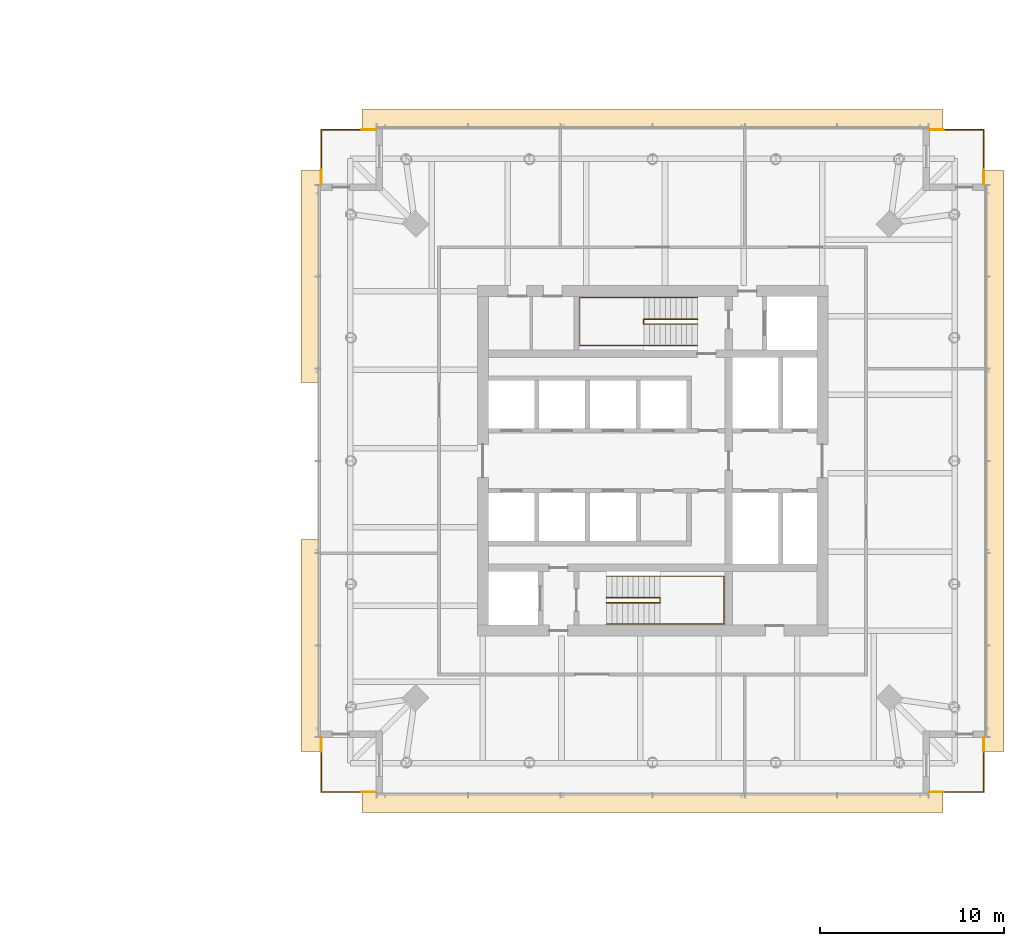
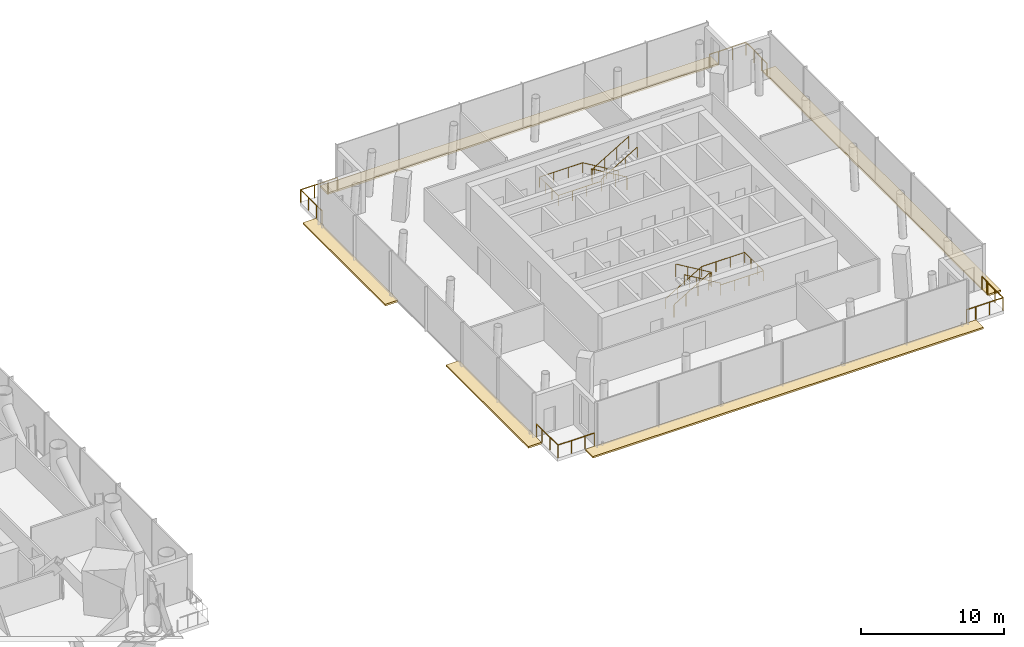
# One storey, part 28 of 28: 16 railings, 5 coverings.
"""IFC4 building model written with IfcOpenShell, lengths in metres."""

from ifc_helpers import new_model, si_unit, direction, frame, origin, origin_2d, place, context, subcontext, project, spatial, polyline, circle, outline, extrude, material, layer, layer_set, type_object, element, save


model = new_model("IFC4")

# Units and contexts
model_context = context("Model", 3, precision=1e-05, world=origin(), true_north=direction((0.0, 1.0)))
body_context = subcontext(model_context, "Body", "Model", "MODEL_VIEW")
ifc_project = project(units=[si_unit("LENGTHUNIT", "METRE"), si_unit("AREAUNIT", "SQUARE_METRE"), si_unit("VOLUMEUNIT", "CUBIC_METRE"), si_unit("PLANEANGLEUNIT", "RADIAN"), si_unit("MASSUNIT", "GRAM", prefix="KILO")], contexts=[model_context])

# Site, building, storey
site_placement = place(None, origin())
site = spatial("IfcSite", under=ifc_project, at=site_placement, CompositionType="ELEMENT")
building_placement = place(site_placement, origin())
building = spatial("IfcBuilding", under=site, at=building_placement, Name="Ostroluk Exchange", CompositionType="ELEMENT")
storey_placement = place(building_placement, frame((0.0, 0.0, 81.800048828125)))
storey = spatial("IfcBuildingStorey", under=building, at=storey_placement, Name="L20", CompositionType="ELEMENT", Elevation=81.800048828125)

# Railings
ifc_material_1 = material(Name="Stainless steel", Category="steel")
railing_type_1 = type_object("IfcRailingType", Name="Guard 1100 stainless steel", PredefinedType="GUARDRAIL", material=ifc_material_1)
railing_1_placement = place(storey_placement, frame((132.75, 28.050048828125, 0.0)))
element("IfcRailing", 1, at=railing_1_placement, inside=storey, type_object=railing_type_1, Name="Hotel tower SE balcony guard L20", PredefinedType="GUARDRAIL", context=body_context, shape_type="SweptSolid", body=[
    extrude(circle(Radius=0.02392578125, at=origin_2d()), frame((0.0, 0.0, 1.076171875), z_axis=(1.0, 0.0, 0.0), x_axis=(0.0, 1.0, 0.0)), (0.0, 0.0, 1.0), 2.199951171875),
    extrude(circle(Radius=0.02392578125, at=origin_2d()), frame((2.199951171875, 0.0, 1.076171875), z_axis=(0.0, 1.0, 0.0), x_axis=(-1.0, 0.0, 0.0)), (0.0, 0.0, 1.0), 2.199951171875),
    extrude(circle(Radius=0.02099609375, at=origin_2d()), origin(), (0.0, 0.0, 1.0), 1.052001953125),
    extrude(circle(Radius=0.02099609375, at=origin_2d()), frame((1.10009765625, 0.0, 0.0)), (0.0, 0.0, 1.0), 1.052001953125),
    extrude(circle(Radius=0.02099609375, at=origin_2d()), frame((2.199951171875, 0.0, 0.0)), (0.0, 0.0, 1.0), 1.052001953125),
    extrude(circle(Radius=0.02099609375, at=origin_2d()), frame((2.199951171875, 1.10009765625, 0.0)), (0.0, 0.0, 1.0), 1.052001953125),
    extrude(circle(Radius=0.02099609375, at=origin_2d()), frame((2.199951171875, 2.199951171875, 0.0)), (0.0, 0.0, 1.0), 1.052001953125),
])
railing_2_placement = place(storey_placement, frame((132.75, 63.949951171875, 0.0)))
element("IfcRailing", 2, at=railing_2_placement, inside=storey, type_object=railing_type_1, Name="Hotel tower NE balcony guard L20", PredefinedType="GUARDRAIL", context=body_context, shape_type="SweptSolid", body=[
    extrude(circle(Radius=0.02392578125, at=origin_2d()), frame((0.0, 0.0, 1.076171875), z_axis=(1.0, 0.0, 0.0), x_axis=(0.0, 1.0, 0.0)), (0.0, 0.0, 1.0), 2.199951171875),
    extrude(circle(Radius=0.02392578125, at=origin_2d()), frame((2.199951171875, 0.0, 1.076171875), z_axis=(0.0, -1.0, 0.0), x_axis=(1.0, 0.0, 0.0)), (0.0, 0.0, 1.0), 2.199951171875),
    extrude(circle(Radius=0.02099609375, at=origin_2d()), origin(), (0.0, 0.0, 1.0), 1.052001953125),
    extrude(circle(Radius=0.02099609375, at=origin_2d()), frame((1.10009765625, 0.0, 0.0)), (0.0, 0.0, 1.0), 1.052001953125),
    extrude(circle(Radius=0.02099609375, at=origin_2d()), frame((2.199951171875, 0.0, 0.0)), (0.0, 0.0, 1.0), 1.052001953125),
    extrude(circle(Radius=0.02099609375, at=origin_2d()), frame((2.199951171875, -1.10009765625, 0.0)), (0.0, 0.0, 1.0), 1.052001953125),
    extrude(circle(Radius=0.02099609375, at=origin_2d()), frame((2.199951171875, -2.199951171875, 0.0)), (0.0, 0.0, 1.0), 1.052001953125),
])
railing_3_placement = place(storey_placement, frame((101.25, 63.949951171875, 0.0)))
element("IfcRailing", 3, at=railing_3_placement, inside=storey, type_object=railing_type_1, Name="Hotel tower NW balcony guard L20", PredefinedType="GUARDRAIL", context=body_context, shape_type="SweptSolid", body=[
    extrude(circle(Radius=0.02392578125, at=origin_2d()), frame((0.0, 0.0, 1.076171875), z_axis=(-1.0, 0.0, 0.0), x_axis=(0.0, -1.0, 0.0)), (0.0, 0.0, 1.0), 2.199951171875),
    extrude(circle(Radius=0.02392578125, at=origin_2d()), frame((-2.199951171875, 0.0, 1.076171875), z_axis=(0.0, -1.0, 0.0), x_axis=(1.0, 0.0, 0.0)), (0.0, 0.0, 1.0), 2.199951171875),
    extrude(circle(Radius=0.02099609375, at=origin_2d()), origin(), (0.0, 0.0, 1.0), 1.052001953125),
    extrude(circle(Radius=0.02099609375, at=origin_2d()), frame((-1.10009765625, 0.0, 0.0)), (0.0, 0.0, 1.0), 1.052001953125),
    extrude(circle(Radius=0.02099609375, at=origin_2d()), frame((-2.199951171875, 0.0, 0.0)), (0.0, 0.0, 1.0), 1.052001953125),
    extrude(circle(Radius=0.02099609375, at=origin_2d()), frame((-2.199951171875, -1.10009765625, 0.0)), (0.0, 0.0, 1.0), 1.052001953125),
    extrude(circle(Radius=0.02099609375, at=origin_2d()), frame((-2.199951171875, -2.199951171875, 0.0)), (0.0, 0.0, 1.0), 1.052001953125),
])
railing_4_placement = place(storey_placement, frame((101.25, 28.050048828125, 0.0)))
element("IfcRailing", 4, at=railing_4_placement, inside=storey, type_object=railing_type_1, Name="Hotel tower SW balcony guard L20", PredefinedType="GUARDRAIL", context=body_context, shape_type="SweptSolid", body=[
    extrude(circle(Radius=0.02392578125, at=origin_2d()), frame((0.0, 0.0, 1.076171875), z_axis=(-1.0, 0.0, 0.0), x_axis=(0.0, -1.0, 0.0)), (0.0, 0.0, 1.0), 2.199951171875),
    extrude(circle(Radius=0.02392578125, at=origin_2d()), frame((-2.199951171875, 0.0, 1.076171875), z_axis=(0.0, 1.0, 0.0), x_axis=(-1.0, 0.0, 0.0)), (0.0, 0.0, 1.0), 2.199951171875),
    extrude(circle(Radius=0.02099609375, at=origin_2d()), origin(), (0.0, 0.0, 1.0), 1.052001953125),
    extrude(circle(Radius=0.02099609375, at=origin_2d()), frame((-1.10009765625, 0.0, 0.0)), (0.0, 0.0, 1.0), 1.052001953125),
    extrude(circle(Radius=0.02099609375, at=origin_2d()), frame((-2.199951171875, 0.0, 0.0)), (0.0, 0.0, 1.0), 1.052001953125),
    extrude(circle(Radius=0.02099609375, at=origin_2d()), frame((-2.199951171875, 1.10009765625, 0.0)), (0.0, 0.0, 1.0), 1.052001953125),
    extrude(circle(Radius=0.02099609375, at=origin_2d()), frame((-2.199951171875, 2.199951171875, 0.0)), (0.0, 0.0, 1.0), 1.052001953125),
])
ifc_material_2 = material(Name="Stainless steel", Category="steel")
railing_type_2 = type_object("IfcRailingType", Name="Lockable maintenance gate 1100", PredefinedType="GUARDRAIL", material=ifc_material_2)
railing_5_placement = place(storey_placement, frame((132.0, 28.050048828125, 0.0)))
element("IfcRailing", 5, at=railing_5_placement, inside=storey, type_object=railing_type_2, Name="Lockable maintenance gate T2 L20 SE", PredefinedType="GUARDRAIL", context=body_context, shape_type="SweptSolid", body=[
    extrude(circle(Radius=0.02392578125, at=origin_2d()), frame((0.0, 0.0, 1.076171875), z_axis=(1.0, 0.0, 0.0), x_axis=(0.0, 1.0, 0.0)), (0.0, 0.0, 1.0), 0.75),
    extrude(circle(Radius=0.02099609375, at=origin_2d()), origin(), (0.0, 0.0, 1.0), 1.052001953125),
    extrude(circle(Radius=0.02099609375, at=origin_2d()), frame((0.75, 0.0, 0.0)), (0.0, 0.0, 1.0), 1.052001953125),
])
railing_6_placement = place(storey_placement, frame((134.949951171875, 30.25, 0.0)))
element("IfcRailing", 6, at=railing_6_placement, inside=storey, type_object=railing_type_2, Name="Lockable maintenance gate T2 L20 SE", PredefinedType="GUARDRAIL", context=body_context, shape_type="SweptSolid", body=[
    extrude(circle(Radius=0.02392578125, at=origin_2d()), frame((0.0, 0.0, 1.076171875), z_axis=(0.0, 1.0, 0.0), x_axis=(-1.0, 0.0, 0.0)), (0.0, 0.0, 1.0), 0.75),
    extrude(circle(Radius=0.02099609375, at=origin_2d()), origin(), (0.0, 0.0, 1.0), 1.052001953125),
    extrude(circle(Radius=0.02099609375, at=origin_2d()), frame((0.0, 0.75, 0.0)), (0.0, 0.0, 1.0), 1.052001953125),
])
railing_7_placement = place(storey_placement, frame((132.0, 63.949951171875, 0.0)))
element("IfcRailing", 7, at=railing_7_placement, inside=storey, type_object=railing_type_2, Name="Lockable maintenance gate T2 L20 NE", PredefinedType="GUARDRAIL", context=body_context, shape_type="SweptSolid", body=[
    extrude(circle(Radius=0.02392578125, at=origin_2d()), frame((0.0, 0.0, 1.076171875), z_axis=(1.0, 0.0, 0.0), x_axis=(0.0, 1.0, 0.0)), (0.0, 0.0, 1.0), 0.75),
    extrude(circle(Radius=0.02099609375, at=origin_2d()), origin(), (0.0, 0.0, 1.0), 1.052001953125),
    extrude(circle(Radius=0.02099609375, at=origin_2d()), frame((0.75, 0.0, 0.0)), (0.0, 0.0, 1.0), 1.052001953125),
])
railing_8_placement = place(storey_placement, frame((134.949951171875, 61.75, 0.0)))
element("IfcRailing", 8, at=railing_8_placement, inside=storey, type_object=railing_type_2, Name="Lockable maintenance gate T2 L20 NE", PredefinedType="GUARDRAIL", context=body_context, shape_type="SweptSolid", body=[
    extrude(circle(Radius=0.02392578125, at=origin_2d()), frame((0.0, 0.0, 1.076171875), z_axis=(0.0, -1.0, 0.0), x_axis=(1.0, 0.0, 0.0)), (0.0, 0.0, 1.0), 0.75),
    extrude(circle(Radius=0.02099609375, at=origin_2d()), origin(), (0.0, 0.0, 1.0), 1.052001953125),
    extrude(circle(Radius=0.02099609375, at=origin_2d()), frame((0.0, -0.75, 0.0)), (0.0, 0.0, 1.0), 1.052001953125),
])
railing_9_placement = place(storey_placement, frame((102.0, 63.949951171875, 0.0)))
element("IfcRailing", 9, at=railing_9_placement, inside=storey, type_object=railing_type_2, Name="Lockable maintenance gate T2 L20 NW", PredefinedType="GUARDRAIL", context=body_context, shape_type="SweptSolid", body=[
    extrude(circle(Radius=0.02392578125, at=origin_2d()), frame((0.0, 0.0, 1.076171875), z_axis=(-1.0, 0.0, 0.0), x_axis=(0.0, -1.0, 0.0)), (0.0, 0.0, 1.0), 0.75),
    extrude(circle(Radius=0.02099609375, at=origin_2d()), origin(), (0.0, 0.0, 1.0), 1.052001953125),
    extrude(circle(Radius=0.02099609375, at=origin_2d()), frame((-0.75, 0.0, 0.0)), (0.0, 0.0, 1.0), 1.052001953125),
])
railing_10_placement = place(storey_placement, frame((99.050048828125, 61.75, 0.0)))
element("IfcRailing", 10, at=railing_10_placement, inside=storey, type_object=railing_type_2, Name="Lockable maintenance gate T2 L20 NW", PredefinedType="GUARDRAIL", context=body_context, shape_type="SweptSolid", body=[
    extrude(circle(Radius=0.02392578125, at=origin_2d()), frame((0.0, 0.0, 1.076171875), z_axis=(0.0, -1.0, 0.0), x_axis=(1.0, 0.0, 0.0)), (0.0, 0.0, 1.0), 0.75),
    extrude(circle(Radius=0.02099609375, at=origin_2d()), origin(), (0.0, 0.0, 1.0), 1.052001953125),
    extrude(circle(Radius=0.02099609375, at=origin_2d()), frame((0.0, -0.75, 0.0)), (0.0, 0.0, 1.0), 1.052001953125),
])
railing_11_placement = place(storey_placement, frame((102.0, 28.050048828125, 0.0)))
element("IfcRailing", 11, at=railing_11_placement, inside=storey, type_object=railing_type_2, Name="Lockable maintenance gate T2 L20 SW", PredefinedType="GUARDRAIL", context=body_context, shape_type="SweptSolid", body=[
    extrude(circle(Radius=0.02392578125, at=origin_2d()), frame((0.0, 0.0, 1.076171875), z_axis=(-1.0, 0.0, 0.0), x_axis=(0.0, -1.0, 0.0)), (0.0, 0.0, 1.0), 0.75),
    extrude(circle(Radius=0.02099609375, at=origin_2d()), origin(), (0.0, 0.0, 1.0), 1.052001953125),
    extrude(circle(Radius=0.02099609375, at=origin_2d()), frame((-0.75, 0.0, 0.0)), (0.0, 0.0, 1.0), 1.052001953125),
])
railing_12_placement = place(storey_placement, frame((99.050048828125, 30.25, 0.0)))
element("IfcRailing", 12, at=railing_12_placement, inside=storey, type_object=railing_type_2, Name="Lockable maintenance gate T2 L20 SW", PredefinedType="GUARDRAIL", context=body_context, shape_type="SweptSolid", body=[
    extrude(circle(Radius=0.02392578125, at=origin_2d()), frame((0.0, 0.0, 1.076171875), z_axis=(0.0, 1.0, 0.0), x_axis=(-1.0, 0.0, 0.0)), (0.0, 0.0, 1.0), 0.75),
    extrude(circle(Radius=0.02099609375, at=origin_2d()), origin(), (0.0, 0.0, 1.0), 1.052001953125),
    extrude(circle(Radius=0.02099609375, at=origin_2d()), frame((0.0, 0.75, 0.0)), (0.0, 0.0, 1.0), 1.052001953125),
])

# Coverings
ifc_material_3 = material(Name="Insulated steel roof deck with membrane, laid to falls, aluminium coping", Category="steel")
ifc_layer = layer(ifc_material_3, 0.14990234375)
ifc_layer_set = layer_set([ifc_layer], Name="Setback maintenance roof")
covering_type = type_object("IfcCoveringType", Name="Setback maintenance roof", PredefinedType="ROOFING", material=ifc_layer_set)
covering_1_placement = place(storey_placement, frame((0.0, 0.0, -0.150146484375)))
element("IfcCovering", 13, at=covering_1_placement, inside=storey, type_object=covering_type, Name="Maintenance roof, setback L20 south", PredefinedType="ROOFING", context=body_context, shape_type="SweptSolid", body=[
    extrude(outline(polyline([(101.25, 28.0), (132.75, 28.0), (132.75, 26.949951171875), (101.25, 26.949951171875), (101.25, 28.0)])), origin(), (0.0, 0.0, 1.0), 0.150146484375),
])
covering_2_placement = place(storey_placement, frame((0.0, 0.0, -0.150146484375)))
element("IfcCovering", 14, at=covering_2_placement, inside=storey, type_object=covering_type, Name="Maintenance roof, setback L20 east", PredefinedType="ROOFING", context=body_context, shape_type="SweptSolid", body=[
    extrude(outline(polyline([(135.0, 61.75), (136.050048828125, 61.75), (136.050048828125, 30.25), (135.0, 30.25), (135.0, 61.75)])), origin(), (0.0, 0.0, 1.0), 0.150146484375),
])
covering_3_placement = place(storey_placement, frame((0.0, 0.0, -0.150146484375)))
element("IfcCovering", 15, at=covering_3_placement, inside=storey, type_object=covering_type, Name="Maintenance roof, setback L20 north", PredefinedType="ROOFING", context=body_context, shape_type="SweptSolid", body=[
    extrude(outline(polyline([(101.25, 65.050048828125), (132.75, 65.050048828125), (132.75, 64.0), (101.25, 64.0), (101.25, 65.050048828125)])), origin(), (0.0, 0.0, 1.0), 0.150146484375),
])
covering_4_placement = place(storey_placement, frame((0.0, 0.0, -0.150146484375)))
element("IfcCovering", 16, at=covering_4_placement, inside=storey, type_object=covering_type, Name="Maintenance roof, setback L20 west", PredefinedType="ROOFING", context=body_context, shape_type="SweptSolid", body=[
    extrude(outline(polyline([(97.949951171875, 41.75), (99.0, 41.75), (99.0, 30.25), (97.949951171875, 30.25), (97.949951171875, 41.75)])), origin(), (0.0, 0.0, 1.0), 0.150146484375),
])
covering_5_placement = place(storey_placement, frame((0.0, 0.0, -0.150146484375)))
element("IfcCovering", 17, at=covering_5_placement, inside=storey, type_object=covering_type, Name="Maintenance roof, setback L20 west", PredefinedType="ROOFING", context=body_context, shape_type="SweptSolid", body=[
    extrude(outline(polyline([(97.949951171875, 61.75), (99.0, 61.75), (99.0, 50.25), (97.949951171875, 50.25), (97.949951171875, 61.75)])), origin(), (0.0, 0.0, 1.0), 0.150146484375),
])

# Railings
ifc_material_4 = material(Name="Steel S355", Category="steel")
railing_type_3 = type_object("IfcRailingType", Name="Stair guard 1100", PredefinedType="GUARDRAIL", material=ifc_material_4)
railing_13_placement = place(storey_placement, frame((114.5, 38.580078125, 0.172607421875)))
element("IfcRailing", 18, at=railing_13_placement, inside=storey, type_object=railing_type_3, Name="Stair T2-S1 guard L20", PredefinedType="GUARDRAIL", context=body_context, shape_type="SweptSolid", body=[
    extrude(circle(Radius=0.02392578125, at=origin_2d()), frame((0.0, 0.0, 1.076171875), z_axis=(0.859141464434, 0.0, 0.511738159696), x_axis=(0.0, 1.0, 0.0)), (0.0, 0.0, 1.0), 3.375244140625),
    extrude(circle(Radius=0.02392578125, at=origin_2d()), frame((2.89990234375, 0.0, 2.80322265625), z_axis=(0.0, -1.0, 0.0), x_axis=(1.0, 0.0, 0.0)), (0.0, 0.0, 1.0), 0.260009765625),
    extrude(circle(Radius=0.02392578125, at=origin_2d()), frame((2.89990234375, -0.260009765625, 2.80322265625), z_axis=(0.0, 0.0, 1.0), x_axis=(1.0, 0.0, 0.0)), (0.0, 0.0, 1.0), 0.1728515625),
    extrude(circle(Radius=0.02392578125, at=origin_2d()), frame((2.89990234375, -0.260009765625, 2.97607421875), z_axis=(-0.859141464434, 0.0, 0.511738159696), x_axis=(0.0, -1.0, 0.0)), (0.0, 0.0, 1.0), 3.375244140625),
    extrude(circle(Radius=0.02099609375, at=origin_2d()), origin(), (0.0, 0.0, 1.0), 1.052001953125),
    extrude(circle(Radius=0.02099609375, at=origin_2d()), frame((0.966552734375, 0.0, 0.57568359375)), (0.0, 0.0, 1.0), 1.052001953125),
    extrude(circle(Radius=0.02099609375, at=origin_2d()), frame((1.933349609375, 0.0, 1.151611328125)), (0.0, 0.0, 1.0), 1.052001953125),
    extrude(circle(Radius=0.02099609375, at=origin_2d()), frame((2.89990234375, 0.0, 1.727294921875)), (0.0, 0.0, 1.0), 1.052001953125),
    extrude(circle(Radius=0.02099609375, at=origin_2d()), frame((2.89990234375, -0.260009765625, 1.727294921875)), (0.0, 0.0, 1.0), 1.052001953125),
    extrude(circle(Radius=0.02099609375, at=origin_2d()), frame((2.89990234375, -0.260009765625, 1.900146484375)), (0.0, 0.0, 1.0), 1.052001953125),
    extrude(circle(Radius=0.02099609375, at=origin_2d()), frame((1.933349609375, -0.260009765625, 2.475830078125)), (0.0, 0.0, 1.0), 1.052001953125),
    extrude(circle(Radius=0.02099609375, at=origin_2d()), frame((0.966552734375, -0.260009765625, 3.0517578125)), (0.0, 0.0, 1.0), 1.052001953125),
    extrude(circle(Radius=0.02099609375, at=origin_2d()), frame((0.0, -0.260009765625, 3.62744140625)), (0.0, 0.0, 1.0), 1.052001953125),
])
railing_14_placement = place(storey_placement, frame((119.429931640625, 53.679931640625, 0.172607421875)))
element("IfcRailing", 19, at=railing_14_placement, inside=storey, type_object=railing_type_3, Name="Stair T2-S2 guard L20", PredefinedType="GUARDRAIL", context=body_context, shape_type="SweptSolid", body=[
    extrude(circle(Radius=0.02392578125, at=origin_2d()), frame((0.0, 0.0, 1.076171875), z_axis=(-0.859141464434, 0.0, 0.511738159696), x_axis=(0.0, -1.0, 0.0)), (0.0, 0.0, 1.0), 3.375244140625),
    extrude(circle(Radius=0.02392578125, at=origin_2d()), frame((-2.89990234375, 0.0, 2.80322265625), z_axis=(0.0, -1.0, 0.0), x_axis=(1.0, 0.0, 0.0)), (0.0, 0.0, 1.0), 0.260009765625),
    extrude(circle(Radius=0.02392578125, at=origin_2d()), frame((-2.89990234375, -0.260009765625, 2.80322265625), z_axis=(0.0, 0.0, 1.0), x_axis=(1.0, 0.0, 0.0)), (0.0, 0.0, 1.0), 0.1728515625),
    extrude(circle(Radius=0.02392578125, at=origin_2d()), frame((-2.89990234375, -0.260009765625, 2.97607421875), z_axis=(0.859141464434, 0.0, 0.511738159696), x_axis=(0.0, 1.0, 0.0)), (0.0, 0.0, 1.0), 3.375244140625),
    extrude(circle(Radius=0.02099609375, at=origin_2d()), origin(), (0.0, 0.0, 1.0), 1.052001953125),
    extrude(circle(Radius=0.02099609375, at=origin_2d()), frame((-0.966552734375, 0.0, 0.57568359375)), (0.0, 0.0, 1.0), 1.052001953125),
    extrude(circle(Radius=0.02099609375, at=origin_2d()), frame((-1.933349609375, 0.0, 1.151611328125)), (0.0, 0.0, 1.0), 1.052001953125),
    extrude(circle(Radius=0.02099609375, at=origin_2d()), frame((-2.89990234375, 0.0, 1.727294921875)), (0.0, 0.0, 1.0), 1.052001953125),
    extrude(circle(Radius=0.02099609375, at=origin_2d()), frame((-2.89990234375, -0.260009765625, 1.727294921875)), (0.0, 0.0, 1.0), 1.052001953125),
    extrude(circle(Radius=0.02099609375, at=origin_2d()), frame((-2.89990234375, -0.260009765625, 1.900146484375)), (0.0, 0.0, 1.0), 1.052001953125),
    extrude(circle(Radius=0.02099609375, at=origin_2d()), frame((-1.933349609375, -0.260009765625, 2.475830078125)), (0.0, 0.0, 1.0), 1.052001953125),
    extrude(circle(Radius=0.02099609375, at=origin_2d()), frame((-0.966552734375, -0.260009765625, 3.0517578125)), (0.0, 0.0, 1.0), 1.052001953125),
    extrude(circle(Radius=0.02099609375, at=origin_2d()), frame((0.0, -0.260009765625, 3.62744140625)), (0.0, 0.0, 1.0), 1.052001953125),
])
ifc_material_5 = material(Name="Stainless steel", Category="steel")
railing_type_4 = type_object("IfcRailingType", Name="Stair handrail 900", PredefinedType="HANDRAIL", material=ifc_material_5)
railing_15_placement = place(storey_placement, frame((114.5, 39.75, 0.172607421875)))
element("IfcRailing", 20, at=railing_15_placement, inside=storey, type_object=railing_type_4, Name="Stair T2-S1 handrail L20", PredefinedType="HANDRAIL", context=body_context, shape_type="SweptSolid", body=[
    extrude(circle(Radius=0.02392578125, at=origin_2d()), frame((0.0, 0.0, 0.8759765625), z_axis=(0.859141464434, 0.0, 0.511738159696), x_axis=(0.0, 1.0, 0.0)), (0.0, 0.0, 1.0), 3.375244140625),
    extrude(circle(Radius=0.02392578125, at=origin_2d()), frame((2.89990234375, 0.0, 2.60302734375), z_axis=(1.0, 0.0, 0.0), x_axis=(0.0, 1.0, 0.0)), (0.0, 0.0, 1.0), 3.47998046875),
    extrude(circle(Radius=0.02392578125, at=origin_2d()), frame((6.3798828125, 0.0, 2.60302734375), z_axis=(0.0, -1.0, 0.0), x_axis=(1.0, 0.0, 0.0)), (0.0, 0.0, 1.0), 2.60009765625),
    extrude(circle(Radius=0.02392578125, at=origin_2d()), frame((6.3798828125, -2.60009765625, 2.60302734375), z_axis=(-1.0, 0.0, 0.0), x_axis=(0.0, -1.0, 0.0)), (0.0, 0.0, 1.0), 3.47998046875),
    extrude(circle(Radius=0.02392578125, at=origin_2d()), frame((2.89990234375, -2.60009765625, 2.60302734375), z_axis=(0.0, 0.0, 1.0), x_axis=(1.0, 0.0, 0.0)), (0.0, 0.0, 1.0), 0.1728515625),
    extrude(circle(Radius=0.02392578125, at=origin_2d()), frame((2.89990234375, -2.60009765625, 2.77587890625), z_axis=(-0.859141464434, 0.0, 0.511738159696), x_axis=(0.0, -1.0, 0.0)), (0.0, 0.0, 1.0), 3.375244140625),
    extrude(circle(Radius=0.02099609375, at=origin_2d()), origin(), (0.0, 0.0, 1.0), 0.851806640625),
    extrude(circle(Radius=0.02099609375, at=origin_2d()), frame((0.966552734375, 0.0, 0.57568359375)), (0.0, 0.0, 1.0), 0.851806640625),
    extrude(circle(Radius=0.02099609375, at=origin_2d()), frame((1.933349609375, 0.0, 1.151611328125)), (0.0, 0.0, 1.0), 0.851806640625),
    extrude(circle(Radius=0.02099609375, at=origin_2d()), frame((2.89990234375, 0.0, 1.727294921875)), (0.0, 0.0, 1.0), 0.851806640625),
    extrude(circle(Radius=0.02099609375, at=origin_2d()), frame((4.059814453125, 0.0, 1.727294921875)), (0.0, 0.0, 1.0), 0.851806640625),
    extrude(circle(Radius=0.02099609375, at=origin_2d()), frame((5.219970703125, 0.0, 1.727294921875)), (0.0, 0.0, 1.0), 0.851806640625),
    extrude(circle(Radius=0.02099609375, at=origin_2d()), frame((6.3798828125, 0.0, 1.727294921875)), (0.0, 0.0, 1.0), 0.851806640625),
    extrude(circle(Radius=0.02099609375, at=origin_2d()), frame((6.3798828125, -0.86669921875, 1.727294921875)), (0.0, 0.0, 1.0), 0.851806640625),
    extrude(circle(Radius=0.02099609375, at=origin_2d()), frame((6.3798828125, -1.7333984375, 1.727294921875)), (0.0, 0.0, 1.0), 0.851806640625),
    extrude(circle(Radius=0.02099609375, at=origin_2d()), frame((6.3798828125, -2.60009765625, 1.727294921875)), (0.0, 0.0, 1.0), 0.851806640625),
    extrude(circle(Radius=0.02099609375, at=origin_2d()), frame((5.219970703125, -2.60009765625, 1.727294921875)), (0.0, 0.0, 1.0), 0.851806640625),
    extrude(circle(Radius=0.02099609375, at=origin_2d()), frame((4.059814453125, -2.60009765625, 1.727294921875)), (0.0, 0.0, 1.0), 0.851806640625),
    extrude(circle(Radius=0.02099609375, at=origin_2d()), frame((2.89990234375, -2.60009765625, 1.727294921875)), (0.0, 0.0, 1.0), 0.851806640625),
    extrude(circle(Radius=0.02099609375, at=origin_2d()), frame((2.89990234375, -2.60009765625, 1.900146484375)), (0.0, 0.0, 1.0), 0.851806640625),
    extrude(circle(Radius=0.02099609375, at=origin_2d()), frame((1.933349609375, -2.60009765625, 2.475830078125)), (0.0, 0.0, 1.0), 0.851806640625),
    extrude(circle(Radius=0.02099609375, at=origin_2d()), frame((0.966552734375, -2.60009765625, 3.0517578125)), (0.0, 0.0, 1.0), 0.851806640625),
    extrude(circle(Radius=0.02099609375, at=origin_2d()), frame((0.0, -2.60009765625, 3.62744140625)), (0.0, 0.0, 1.0), 0.851806640625),
])
railing_16_placement = place(storey_placement, frame((119.429931640625, 54.85009765625, 0.172607421875)))
element("IfcRailing", 21, at=railing_16_placement, inside=storey, type_object=railing_type_4, Name="Stair T2-S2 handrail L20", PredefinedType="HANDRAIL", context=body_context, shape_type="SweptSolid", body=[
    extrude(circle(Radius=0.02392578125, at=origin_2d()), frame((0.0, 0.0, 0.8759765625), z_axis=(-0.859141464434, 0.0, 0.511738159696), x_axis=(0.0, -1.0, 0.0)), (0.0, 0.0, 1.0), 3.375244140625),
    extrude(circle(Radius=0.02392578125, at=origin_2d()), frame((-2.89990234375, 0.0, 2.60302734375), z_axis=(-1.0, 0.0, 0.0), x_axis=(0.0, -1.0, 0.0)), (0.0, 0.0, 1.0), 3.47998046875),
    extrude(circle(Radius=0.02392578125, at=origin_2d()), frame((-6.3798828125, 0.0, 2.60302734375), z_axis=(0.0, -1.0, 0.0), x_axis=(1.0, 0.0, 0.0)), (0.0, 0.0, 1.0), 2.60009765625),
    extrude(circle(Radius=0.02392578125, at=origin_2d()), frame((-6.3798828125, -2.60009765625, 2.60302734375), z_axis=(1.0, 0.0, 0.0), x_axis=(0.0, 1.0, 0.0)), (0.0, 0.0, 1.0), 3.47998046875),
    extrude(circle(Radius=0.02392578125, at=origin_2d()), frame((-2.89990234375, -2.60009765625, 2.60302734375), z_axis=(0.0, 0.0, 1.0), x_axis=(1.0, 0.0, 0.0)), (0.0, 0.0, 1.0), 0.1728515625),
    extrude(circle(Radius=0.02392578125, at=origin_2d()), frame((-2.89990234375, -2.60009765625, 2.77587890625), z_axis=(0.859141464434, 0.0, 0.511738159696), x_axis=(0.0, 1.0, 0.0)), (0.0, 0.0, 1.0), 3.375244140625),
    extrude(circle(Radius=0.02099609375, at=origin_2d()), origin(), (0.0, 0.0, 1.0), 0.851806640625),
    extrude(circle(Radius=0.02099609375, at=origin_2d()), frame((-0.966552734375, 0.0, 0.57568359375)), (0.0, 0.0, 1.0), 0.851806640625),
    extrude(circle(Radius=0.02099609375, at=origin_2d()), frame((-1.933349609375, 0.0, 1.151611328125)), (0.0, 0.0, 1.0), 0.851806640625),
    extrude(circle(Radius=0.02099609375, at=origin_2d()), frame((-2.89990234375, 0.0, 1.727294921875)), (0.0, 0.0, 1.0), 0.851806640625),
    extrude(circle(Radius=0.02099609375, at=origin_2d()), frame((-4.059814453125, 0.0, 1.727294921875)), (0.0, 0.0, 1.0), 0.851806640625),
    extrude(circle(Radius=0.02099609375, at=origin_2d()), frame((-5.219970703125, 0.0, 1.727294921875)), (0.0, 0.0, 1.0), 0.851806640625),
    extrude(circle(Radius=0.02099609375, at=origin_2d()), frame((-6.3798828125, 0.0, 1.727294921875)), (0.0, 0.0, 1.0), 0.851806640625),
    extrude(circle(Radius=0.02099609375, at=origin_2d()), frame((-6.3798828125, -0.86669921875, 1.727294921875)), (0.0, 0.0, 1.0), 0.851806640625),
    extrude(circle(Radius=0.02099609375, at=origin_2d()), frame((-6.3798828125, -1.7333984375, 1.727294921875)), (0.0, 0.0, 1.0), 0.851806640625),
    extrude(circle(Radius=0.02099609375, at=origin_2d()), frame((-6.3798828125, -2.60009765625, 1.727294921875)), (0.0, 0.0, 1.0), 0.851806640625),
    extrude(circle(Radius=0.02099609375, at=origin_2d()), frame((-5.219970703125, -2.60009765625, 1.727294921875)), (0.0, 0.0, 1.0), 0.851806640625),
    extrude(circle(Radius=0.02099609375, at=origin_2d()), frame((-4.059814453125, -2.60009765625, 1.727294921875)), (0.0, 0.0, 1.0), 0.851806640625),
    extrude(circle(Radius=0.02099609375, at=origin_2d()), frame((-2.89990234375, -2.60009765625, 1.727294921875)), (0.0, 0.0, 1.0), 0.851806640625),
    extrude(circle(Radius=0.02099609375, at=origin_2d()), frame((-2.89990234375, -2.60009765625, 1.900146484375)), (0.0, 0.0, 1.0), 0.851806640625),
    extrude(circle(Radius=0.02099609375, at=origin_2d()), frame((-1.933349609375, -2.60009765625, 2.475830078125)), (0.0, 0.0, 1.0), 0.851806640625),
    extrude(circle(Radius=0.02099609375, at=origin_2d()), frame((-0.966552734375, -2.60009765625, 3.0517578125)), (0.0, 0.0, 1.0), 0.851806640625),
    extrude(circle(Radius=0.02099609375, at=origin_2d()), frame((0.0, -2.60009765625, 3.62744140625)), (0.0, 0.0, 1.0), 0.851806640625),
])

save(model, "model.ifc")
